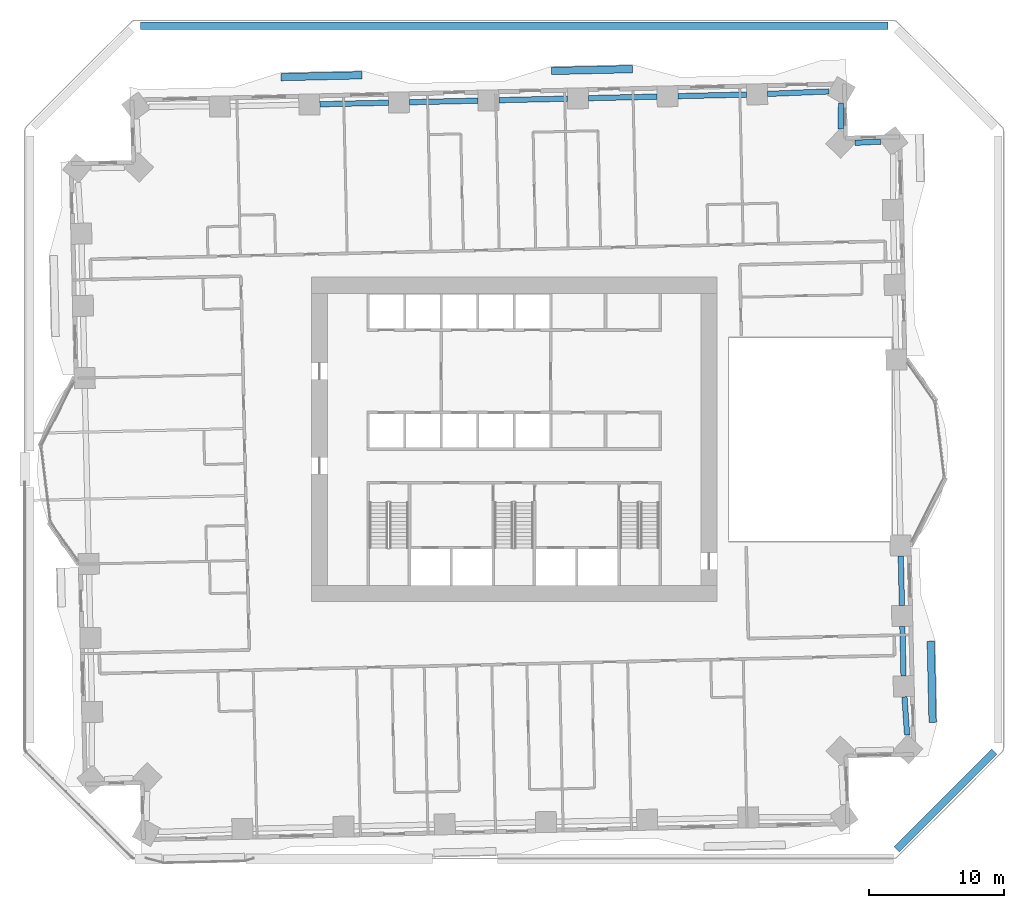
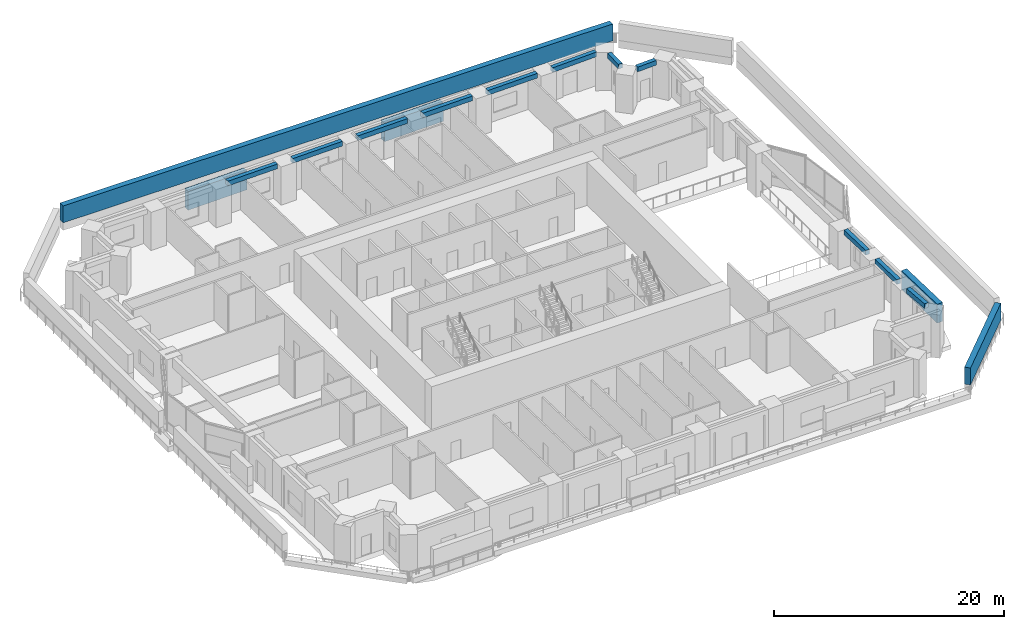
# One storey, part 5 of 21: 11 beams, 5 members.
"""IFC4 building model written with IfcOpenShell, lengths in metres."""

from ifc_helpers import new_model, si_unit, direction, frame, origin, origin_2d, place, context, subcontext, project, spatial, rectangle, extrude, material, material_profile, profile_set, type_object, element, save


model = new_model("IFC4")

# Units and contexts
model_context = context("Model", 3, precision=1e-05, world=origin(), true_north=direction((0.0, 1.0)))
body_context = subcontext(model_context, "Body", "Model", "MODEL_VIEW")
ifc_project = project(units=[si_unit("LENGTHUNIT", "METRE"), si_unit("AREAUNIT", "SQUARE_METRE"), si_unit("VOLUMEUNIT", "CUBIC_METRE"), si_unit("PLANEANGLEUNIT", "RADIAN"), si_unit("MASSUNIT", "GRAM", prefix="KILO")], contexts=[model_context])

# Site, building, storey
site_placement = place(None, origin())
site = spatial("IfcSite", under=ifc_project, at=site_placement, CompositionType="ELEMENT")
building_placement = place(site_placement, origin())
building = spatial("IfcBuilding", under=site, at=building_placement, Name="Mangrove Gate Tower", CompositionType="ELEMENT")
storey_placement = place(building_placement, frame((0.0, 0.0, 29.5)))
storey = spatial("IfcBuildingStorey", under=building, at=storey_placement, Name="L06", CompositionType="ELEMENT", Elevation=29.5)

# Members
ifc_material_1 = material(Name="Planting on aluminium trellis", Category="aluminium")
ifc_material_profile_1 = material_profile(ifc_material_1, rectangle(XDim=0.550048828125, YDim=2.0, at=origin_2d()))
ifc_profile_set_1 = profile_set([ifc_material_profile_1], Name="Planting on aluminium trellis")
member_type_1 = type_object("IfcMemberType", Name="Balcony greenery screen 550x2000", PredefinedType="USERDEFINED", material=ifc_profile_set_1)
member_1_placement = place(storey_placement, frame((30.945068359375, -20.9169921875, 1.800048828125), z_axis=(-0.022665943652, 0.999743094499, 0.0), x_axis=(-0.999743094499, -0.022665943652, 0.0)))
element("IfcMember", 1, at=member_1_placement, inside=storey, type_object=member_type_1, Name="GREEN SCREEN L06 E0.1", ObjectType="PLANTING", PredefinedType="USERDEFINED", context=body_context, shape_type="SweptSolid", body=[
    extrude(rectangle(XDim=0.550048828125, YDim=2.0, at=origin_2d()), origin(), (0.0, 0.0, 1.0), 5.99951171875),
])
member_2_placement = place(storey_placement, frame((2.74609375, 27.256103515625, 1.800048828125), z_axis=(0.999743073592, 0.022666865795, 0.0), x_axis=(-0.022666865795, 0.999743073592, 0.0)))
element("IfcMember", 2, at=member_2_placement, inside=storey, type_object=member_type_1, Name="GREEN SCREEN L06 N0.1", ObjectType="PLANTING", PredefinedType="USERDEFINED", context=body_context, shape_type="SweptSolid", body=[
    extrude(rectangle(XDim=0.550048828125, YDim=2.0, at=origin_2d()), origin(), (0.0, 0.0, 1.0), 5.999267578125),
])
member_3_placement = place(storey_placement, frame((-17.2490234375, 26.802001953125, 1.800048828125), z_axis=(0.999743094499, 0.022665943652, 0.0), x_axis=(-0.022665943652, 0.999743094499, 0.0)))
element("IfcMember", 3, at=member_3_placement, inside=storey, type_object=member_type_1, Name="GREEN SCREEN L06 N1.1", ObjectType="PLANTING", PredefinedType="USERDEFINED", context=body_context, shape_type="SweptSolid", body=[
    extrude(rectangle(XDim=0.550048828125, YDim=2.0, at=origin_2d()), origin(), (0.0, 0.0, 1.0), 5.99951171875),
])

# Beams
ifc_material_2 = material(Name="Concrete C50/60", Category="concrete")
ifc_material_profile_2 = material_profile(ifc_material_2, rectangle(XDim=0.39990234375, YDim=0.5, at=origin_2d()))
ifc_profile_set_2 = profile_set([ifc_material_profile_2], Name="Concrete C50/60")
beam_type = type_object("IfcBeamType", Name="Edge beam RC 400x500 C50/60", PredefinedType="BEAM", material=ifc_profile_set_2)
beam_1_placement = place(storey_placement, frame((29.05810546875, -21.85498046875, 3.800048828125), z_axis=(-0.068985575755, 0.997617657391, 0.0), x_axis=(-0.997617657391, -0.068985575755, 0.0)))
element("IfcBeam", 4, at=beam_1_placement, inside=storey, type_object=beam_type, Name="Edge beam L06 14", PredefinedType="BEAM", context=body_context, shape_type="SweptSolid", body=[
    extrude(rectangle(XDim=0.39990234375, YDim=0.5, at=origin_2d()), origin(), (0.0, 0.0, 1.0), 2.831298828125),
])
beam_2_placement = place(storey_placement, frame((28.791748046875, -17.48193359375, 3.800048828125), z_axis=(-0.022689571451, 0.999742558536, 0.0), x_axis=(-0.999742558536, -0.022689571451, 0.0)))
element("IfcBeam", 5, at=beam_2_placement, inside=storey, type_object=beam_type, Name="Edge beam L06 15", PredefinedType="BEAM", context=body_context, shape_type="SweptSolid", body=[
    extrude(rectangle(XDim=0.39990234375, YDim=0.5, at=origin_2d()), origin(), (0.0, 0.0, 1.0), 3.658447265625),
])
beam_3_placement = place(storey_placement, frame((28.673583984375, -12.274658203125, 3.800048828125), z_axis=(-0.022624381053, 0.999744035932, 0.0), x_axis=(-0.999744035932, -0.022624381053, 0.0)))
element("IfcBeam", 6, at=beam_3_placement, inside=storey, type_object=beam_type, Name="Edge beam L06 16", PredefinedType="BEAM", context=body_context, shape_type="SweptSolid", body=[
    extrude(rectangle(XDim=0.39990234375, YDim=0.5, at=origin_2d()), origin(), (0.0, 0.0, 1.0), 3.658203125),
])
beam_4_placement = place(storey_placement, frame((27.102294921875, 22.03125, 3.800048828125), z_axis=(-0.99890541483, -0.046775765331, 0.0), x_axis=(0.046775765331, -0.99890541483, 0.0)))
element("IfcBeam", 7, at=beam_4_placement, inside=storey, type_object=beam_type, Name="Edge beam L06 21", PredefinedType="BEAM", context=body_context, shape_type="SweptSolid", body=[
    extrude(rectangle(XDim=0.39990234375, YDim=0.5, at=origin_2d()), origin(), (0.0, 0.0, 1.0), 1.910400390625),
])
beam_5_placement = place(storey_placement, frame((24.140625, 22.9482421875, 3.800048828125), z_axis=(0.015187803628, 0.999884658659, 0.0), x_axis=(-0.999884658659, 0.015187803628, 0.0)))
element("IfcBeam", 8, at=beam_5_placement, inside=storey, type_object=beam_type, Name="Edge beam L06 22", PredefinedType="BEAM", context=body_context, shape_type="SweptSolid", body=[
    extrude(rectangle(XDim=0.39990234375, YDim=0.5, at=origin_2d()), origin(), (0.0, 0.0, 1.0), 1.945068359375),
])
beam_6_placement = place(storey_placement, frame((23.26904296875, 25.741455078125, 3.800048828125), z_axis=(-0.99917791823, -0.040539952176, 0.0), x_axis=(0.040539952176, -0.99917791823, 0.0)))
element("IfcBeam", 9, at=beam_6_placement, inside=storey, type_object=beam_type, Name="Edge beam L06 23", PredefinedType="BEAM", context=body_context, shape_type="SweptSolid", body=[
    extrude(rectangle(XDim=0.39990234375, YDim=0.5, at=origin_2d()), origin(), (0.0, 0.0, 1.0), 4.53466796875),
])
beam_7_placement = place(storey_placement, frame((17.188720703125, 25.508544921875, 3.800048828125), z_axis=(-0.999739944427, -0.02280446264, 0.0), x_axis=(0.02280446264, -0.999739944427, 0.0)))
element("IfcBeam", 10, at=beam_7_placement, inside=storey, type_object=beam_type, Name="Edge beam L06 24", PredefinedType="BEAM", context=body_context, shape_type="SweptSolid", body=[
    extrude(rectangle(XDim=0.39990234375, YDim=0.5, at=origin_2d()), origin(), (0.0, 0.0, 1.0), 5.074462890625),
])
beam_8_placement = place(storey_placement, frame((10.56591796875, 25.357666015625, 3.800048828125), z_axis=(-0.999743348065, -0.022654756648, 0.0), x_axis=(0.022654756648, -0.999743348065, 0.0)))
element("IfcBeam", 11, at=beam_8_placement, inside=storey, type_object=beam_type, Name="Edge beam L06 25", PredefinedType="BEAM", context=body_context, shape_type="SweptSolid", body=[
    extrude(rectangle(XDim=0.39990234375, YDim=0.5, at=origin_2d()), origin(), (0.0, 0.0, 1.0), 5.07568359375),
])
beam_9_placement = place(storey_placement, frame((3.941650390625, 25.207763671875, 3.800048828125), z_axis=(-0.999743224589, -0.022660204946, 0.0), x_axis=(0.022660204946, -0.999743224589, 0.0)))
element("IfcBeam", 12, at=beam_9_placement, inside=storey, type_object=beam_type, Name="Edge beam L06 26", PredefinedType="BEAM", context=body_context, shape_type="SweptSolid", body=[
    extrude(rectangle(XDim=0.39990234375, YDim=0.5, at=origin_2d()), origin(), (0.0, 0.0, 1.0), 5.074462890625),
])
beam_10_placement = place(storey_placement, frame((-2.68115234375, 25.0576171875, 3.800048828125), z_axis=(-0.999739969445, -0.02280336584, 0.0), x_axis=(0.02280336584, -0.999739969445, 0.0)))
element("IfcBeam", 13, at=beam_10_placement, inside=storey, type_object=beam_type, Name="Edge beam L06 27", PredefinedType="BEAM", context=body_context, shape_type="SweptSolid", body=[
    extrude(rectangle(XDim=0.39990234375, YDim=0.5, at=origin_2d()), origin(), (0.0, 0.0, 1.0), 5.07470703125),
])
beam_11_placement = place(storey_placement, frame((-9.30419921875, 24.90673828125, 3.800048828125), z_axis=(-0.999743348065, -0.022654756648, 0.0), x_axis=(0.022654756648, -0.999743348065, 0.0)))
element("IfcBeam", 14, at=beam_11_placement, inside=storey, type_object=beam_type, Name="Edge beam L06 28", PredefinedType="BEAM", context=body_context, shape_type="SweptSolid", body=[
    extrude(rectangle(XDim=0.39990234375, YDim=0.5, at=origin_2d()), origin(), (0.0, 0.0, 1.0), 5.07568359375),
])

# Members
ifc_material_3 = material(Name="Planting on aluminium trellis", Category="aluminium")
ifc_material_profile_3 = material_profile(ifc_material_3, rectangle(XDim=0.550048828125, YDim=1.800048828125, at=origin_2d()))
ifc_profile_set_3 = profile_set([ifc_material_profile_3], Name="Planting on aluminium trellis")
member_type_2 = type_object("IfcMemberType", Name="Roof greenery screen 550x1800", PredefinedType="USERDEFINED", material=ifc_profile_set_3)
member_4_placement = place(storey_placement, frame((-27.64306640625, 30.5849609375, 1.699951171875), z_axis=(1.0, 0.0, 0.0), x_axis=(0.0, 1.0, 0.0)))
element("IfcMember", 15, at=member_4_placement, inside=storey, type_object=member_type_2, Name="GREEN SCREEN L06 T2.1.24", ObjectType="PLANTING", PredefinedType="USERDEFINED", context=body_context, shape_type="SweptSolid", body=[
    extrude(rectangle(XDim=0.550048828125, YDim=1.800048828125, at=origin_2d()), origin(), (0.0, 0.0, 1.0), 55.2861328125),
])
member_5_placement = place(storey_placement, frame((35.512939453125, -23.10009765625, 1.699951171875), z_axis=(-0.707106781187, -0.707106781187, 0.0), x_axis=(0.707106781187, -0.707106781187, 0.0)))
element("IfcMember", 16, at=member_5_placement, inside=storey, type_object=member_type_2, Name="GREEN SCREEN L06 T2.1.51", ObjectType="PLANTING", PredefinedType="USERDEFINED", context=body_context, shape_type="SweptSolid", body=[
    extrude(rectangle(XDim=0.550048828125, YDim=1.800048828125, at=origin_2d()), origin(), (0.0, 0.0, 1.0), 10.20068359375),
])

save(model, "model.ifc")
